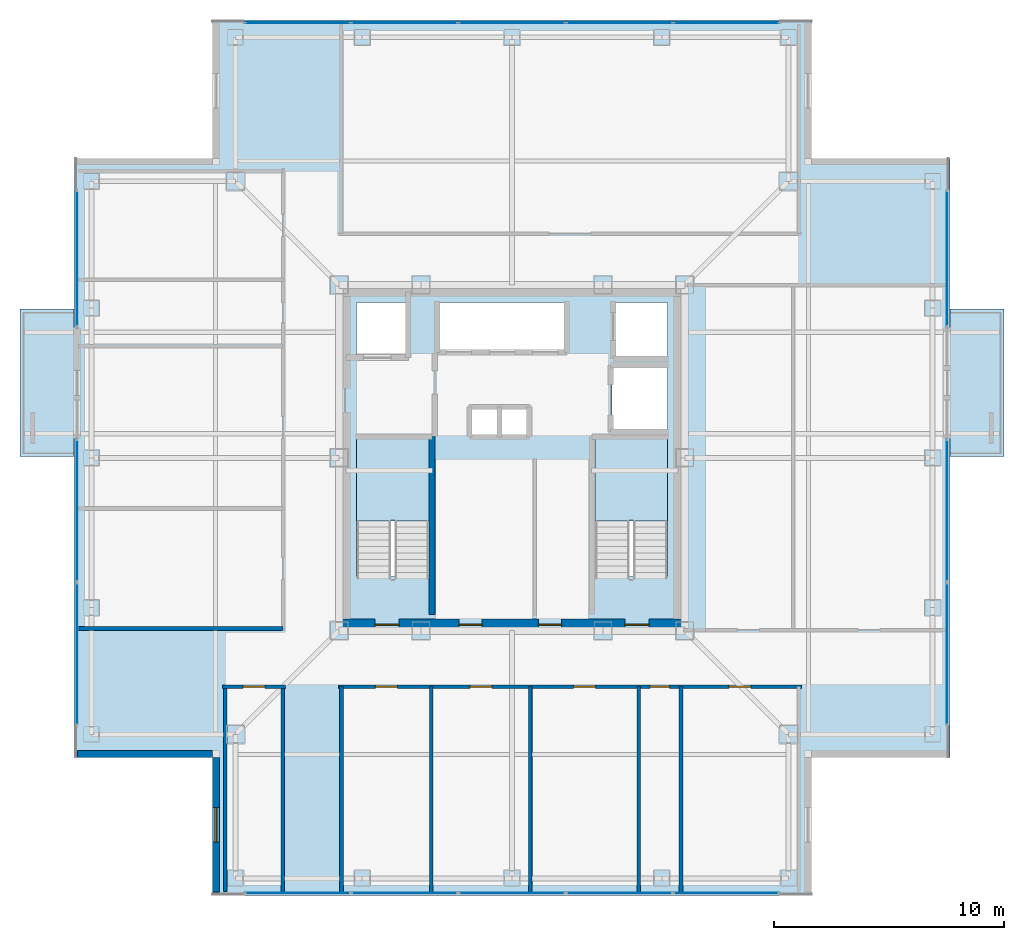
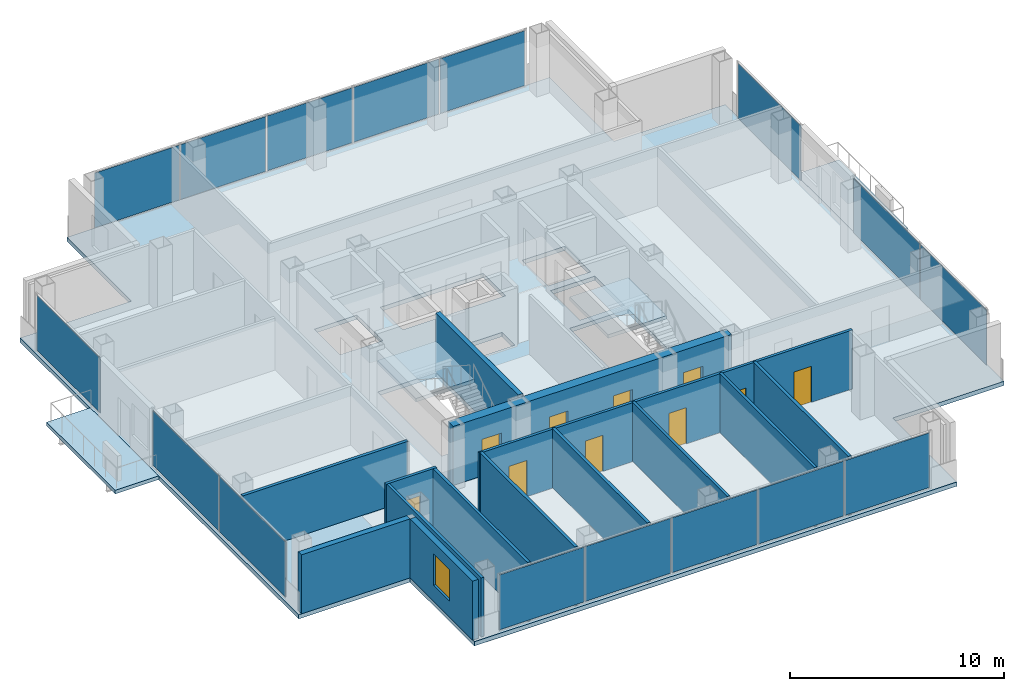
# One storey, part 8 of 13: 16 plates, 14 walls, 10 doors, 5 slabs, 1 window, 11 openings, 8 elements without a shape of their own.
"""IFC4 building model written with IfcOpenShell, lengths in metres."""

from ifc_helpers import new_model, si_unit, direction, frame, frame_2d, origin, origin_2d, place, context, subcontext, project, spatial, polyline, rectangle, outline, extrude, material, layer, layer_set, type_object, element, fill, aggregate, save


model = new_model("IFC4")

# Units and contexts
model_context = context("Model", 3, precision=1e-05, world=origin(), true_north=direction((0.0, 1.0)))
body_context = subcontext(model_context, "Body", "Model", "MODEL_VIEW")
ifc_project = project(units=[si_unit("LENGTHUNIT", "METRE"), si_unit("AREAUNIT", "SQUARE_METRE"), si_unit("VOLUMEUNIT", "CUBIC_METRE"), si_unit("PLANEANGLEUNIT", "RADIAN"), si_unit("MASSUNIT", "GRAM", prefix="KILO")], contexts=[model_context])

# Site, building, storey
site_placement = place(None, origin())
site = spatial("IfcSite", under=ifc_project, at=site_placement, CompositionType="ELEMENT")
building_placement = place(site_placement, origin())
building = spatial("IfcBuilding", under=site, at=building_placement, Name="Trevonay Congress Spire", CompositionType="ELEMENT")
storey_placement = place(building_placement, frame((0.0, 0.0, 286.39990234375)))
storey = spatial("IfcBuildingStorey", under=building, at=storey_placement, Name="L75", CompositionType="ELEMENT", Elevation=286.39990234375)

# Curtain wall, plates
ifc_material_1 = material(Name="Pale Anodised Aluminium EN AW-6063-T6", Category="aluminium")
ifc_layer_1 = layer(ifc_material_1, 0.1650390625, Name="Pale Anodised Aluminium EN AW-6063-T6")
ifc_layer_set_1 = layer_set([ifc_layer_1], Name="Pale Anodised Aluminium EN AW-6063-T6")
curtain_wall_type = type_object("IfcCurtainWallType", Name="CW-SYS05-DIPLOM-PALE-METAL", PredefinedType="NOTDEFINED", material=ifc_layer_set_1)
curtain_wall_1_placement = place(storey_placement, origin())
curtain_wall_1 = element("IfcCurtainWall", 1, at=curtain_wall_1_placement, inside=storey, type_object=curtain_wall_type, Name="L75 S unitised curtain wall", PredefinedType="NOTDEFINED")
ifc_material_2 = material(Name="Insulated Low-E Vision Glass IGU", Category="glass")
ifc_layer_2 = layer(ifc_material_2, 0.035888671875, Name="Insulated Low-E Vision Glass IGU")
ifc_layer_set_2 = layer_set([ifc_layer_2], Name="Insulated Low-E Vision Glass IGU")
plate_type = type_object("IfcPlateType", Name="CW-PANEL-IGU36-SILVER", PredefinedType="CURTAIN_PANEL", material=ifc_layer_set_2)
plate_1_placement = place(storey_placement, frame((-9.304931640625, -18.8798828125, 0.1201171875), z_axis=(0.0, 0.0, 1.0), x_axis=(1.0, 0.0, 0.0)))
plate_1 = element("IfcPlate", 2, at=plate_1_placement, type_object=plate_type, Name="CW05 panel 1.1", PredefinedType="CURTAIN_PANEL", context=body_context, shape_type="SweptSolid", body=[
    extrude(rectangle(XDim=4.570068359375, YDim=0.035888671875, at=origin_2d()), origin(), (0.0, 0.0, 1.0), 3.1201171875),
])
plate_2_placement = place(storey_placement, frame((-4.659912109375, -18.8798828125, 0.1201171875), z_axis=(0.0, 0.0, 1.0), x_axis=(1.0, 0.0, 0.0)))
plate_2 = element("IfcPlate", 3, at=plate_2_placement, type_object=plate_type, Name="CW05 panel 2.1", PredefinedType="CURTAIN_PANEL", context=body_context, shape_type="SweptSolid", body=[
    extrude(rectangle(XDim=4.60009765625, YDim=0.035888671875, at=origin_2d()), origin(), (0.0, 0.0, 1.0), 3.1201171875),
])
plate_3_placement = place(storey_placement, frame((0.0, -18.8798828125, 0.1201171875), z_axis=(0.0, 0.0, 1.0), x_axis=(1.0, 0.0, 0.0)))
plate_3 = element("IfcPlate", 4, at=plate_3_placement, type_object=plate_type, Name="CW05 panel 3.1", PredefinedType="CURTAIN_PANEL", context=body_context, shape_type="SweptSolid", body=[
    extrude(rectangle(XDim=4.60009765625, YDim=0.035888671875, at=origin_2d()), origin(), (0.0, 0.0, 1.0), 3.1201171875),
])
plate_4_placement = place(storey_placement, frame((4.659912109375, -18.8798828125, 0.1201171875), z_axis=(0.0, 0.0, 1.0), x_axis=(1.0, 0.0, 0.0)))
plate_4 = element("IfcPlate", 5, at=plate_4_placement, type_object=plate_type, Name="CW05 panel 4.1", PredefinedType="CURTAIN_PANEL", context=body_context, shape_type="SweptSolid", body=[
    extrude(rectangle(XDim=4.60009765625, YDim=0.035888671875, at=origin_2d()), origin(), (0.0, 0.0, 1.0), 3.1201171875),
])
plate_5_placement = place(storey_placement, frame((9.304931640625, -18.8798828125, 0.1201171875), z_axis=(0.0, 0.0, 1.0), x_axis=(1.0, 0.0, 0.0)))
plate_5 = element("IfcPlate", 6, at=plate_5_placement, type_object=plate_type, Name="CW05 panel 5.1", PredefinedType="CURTAIN_PANEL", context=body_context, shape_type="SweptSolid", body=[
    extrude(rectangle(XDim=4.570068359375, YDim=0.035888671875, at=origin_2d()), origin(), (0.0, 0.0, 1.0), 3.1201171875),
])
aggregate(curtain_wall_1, [plate_1, plate_2, plate_3, plate_4, plate_5])

curtain_wall_2_placement = place(storey_placement, origin())
curtain_wall_2 = element("IfcCurtainWall", 7, at=curtain_wall_2_placement, inside=storey, type_object=curtain_wall_type, Name="L75 N unitised curtain wall", PredefinedType="NOTDEFINED")
plate_6_placement = place(storey_placement, frame((-9.304931640625, 18.8798828125, 0.1201171875), z_axis=(0.0, 0.0, 1.0), x_axis=(1.0, 0.0, 0.0)))
plate_6 = element("IfcPlate", 8, at=plate_6_placement, type_object=plate_type, Name="CW05 panel 1.1", PredefinedType="CURTAIN_PANEL", context=body_context, shape_type="SweptSolid", body=[
    extrude(rectangle(XDim=4.570068359375, YDim=0.035888671875, at=origin_2d()), origin(), (0.0, 0.0, 1.0), 3.1201171875),
])
plate_7_placement = place(storey_placement, frame((-4.659912109375, 18.8798828125, 0.1201171875), z_axis=(0.0, 0.0, 1.0), x_axis=(1.0, 0.0, 0.0)))
plate_7 = element("IfcPlate", 9, at=plate_7_placement, type_object=plate_type, Name="CW05 panel 2.1", PredefinedType="CURTAIN_PANEL", context=body_context, shape_type="SweptSolid", body=[
    extrude(rectangle(XDim=4.60009765625, YDim=0.035888671875, at=origin_2d()), origin(), (0.0, 0.0, 1.0), 3.1201171875),
])
plate_8_placement = place(storey_placement, frame((0.0, 18.8798828125, 0.1201171875), z_axis=(0.0, 0.0, 1.0), x_axis=(1.0, 0.0, 0.0)))
plate_8 = element("IfcPlate", 10, at=plate_8_placement, type_object=plate_type, Name="CW05 panel 3.1", PredefinedType="CURTAIN_PANEL", context=body_context, shape_type="SweptSolid", body=[
    extrude(rectangle(XDim=4.60009765625, YDim=0.035888671875, at=origin_2d()), origin(), (0.0, 0.0, 1.0), 3.1201171875),
])
plate_9_placement = place(storey_placement, frame((4.659912109375, 18.8798828125, 0.1201171875), z_axis=(0.0, 0.0, 1.0), x_axis=(1.0, 0.0, 0.0)))
plate_9 = element("IfcPlate", 11, at=plate_9_placement, type_object=plate_type, Name="CW05 panel 4.1", PredefinedType="CURTAIN_PANEL", context=body_context, shape_type="SweptSolid", body=[
    extrude(rectangle(XDim=4.60009765625, YDim=0.035888671875, at=origin_2d()), origin(), (0.0, 0.0, 1.0), 3.1201171875),
])
plate_10_placement = place(storey_placement, frame((9.304931640625, 18.8798828125, 0.1201171875), z_axis=(0.0, 0.0, 1.0), x_axis=(1.0, 0.0, 0.0)))
plate_10 = element("IfcPlate", 12, at=plate_10_placement, type_object=plate_type, Name="CW05 panel 5.1", PredefinedType="CURTAIN_PANEL", context=body_context, shape_type="SweptSolid", body=[
    extrude(rectangle(XDim=4.570068359375, YDim=0.035888671875, at=origin_2d()), origin(), (0.0, 0.0, 1.0), 3.1201171875),
])
aggregate(curtain_wall_2, [plate_6, plate_7, plate_8, plate_9, plate_10])

curtain_wall_3_placement = place(storey_placement, origin())
curtain_wall_3 = element("IfcCurtainWall", 13, at=curtain_wall_3_placement, inside=storey, type_object=curtain_wall_type, Name="L75 WA unitised curtain wall", PredefinedType="NOTDEFINED")
plate_11_placement = place(storey_placement, frame((-18.8798828125, -8.510009765625, 0.1201171875), z_axis=(0.0, 0.0, 1.0), x_axis=(0.0, 1.0, 0.0)))
plate_11 = element("IfcPlate", 14, at=plate_11_placement, type_object=plate_type, Name="CW05 panel 1.1", PredefinedType="CURTAIN_PANEL", context=body_context, shape_type="SweptSolid", body=[
    extrude(rectangle(XDim=6.159912109375, YDim=0.035888671875, at=origin_2d()), origin(), (0.0, 0.0, 1.0), 3.1201171875),
])
plate_12_placement = place(storey_placement, frame((-18.8798828125, -2.2900390625, 0.1201171875), z_axis=(0.0, 0.0, 1.0), x_axis=(0.0, 1.0, 0.0)))
plate_12 = element("IfcPlate", 15, at=plate_12_placement, type_object=plate_type, Name="CW05 panel 2.1", PredefinedType="CURTAIN_PANEL", context=body_context, shape_type="SweptSolid", body=[
    extrude(rectangle(XDim=6.159912109375, YDim=0.035888671875, at=origin_2d()), origin(), (0.0, 0.0, 1.0), 3.1201171875),
])
aggregate(curtain_wall_3, [plate_11, plate_12])

# Curtain wall, plate
curtain_wall_4_placement = place(storey_placement, origin())
curtain_wall_4 = element("IfcCurtainWall", 16, at=curtain_wall_4_placement, inside=storey, type_object=curtain_wall_type, Name="L75 WB unitised curtain wall", PredefinedType="NOTDEFINED")
plate_13_placement = place(storey_placement, frame((-18.8798828125, 8.64990234375, 0.1201171875), z_axis=(0.0, 0.0, 1.0), x_axis=(0.0, 1.0, 0.0)))
plate_13 = element("IfcPlate", 17, at=plate_13_placement, type_object=plate_type, Name="CW05 panel 1.1", PredefinedType="CURTAIN_PANEL", context=body_context, shape_type="SweptSolid", body=[
    extrude(rectangle(XDim=5.8798828125, YDim=0.035888671875, at=origin_2d()), origin(), (0.0, 0.0, 1.0), 3.1201171875),
])
aggregate(curtain_wall_4, [plate_13])

# Curtain wall, plates
curtain_wall_5_placement = place(storey_placement, origin())
curtain_wall_5 = element("IfcCurtainWall", 18, at=curtain_wall_5_placement, inside=storey, type_object=curtain_wall_type, Name="L75 EA unitised curtain wall", PredefinedType="NOTDEFINED")
plate_14_placement = place(storey_placement, frame((18.8798828125, -8.510009765625, 0.1201171875), z_axis=(0.0, 0.0, 1.0), x_axis=(0.0, 1.0, 0.0)))
plate_14 = element("IfcPlate", 19, at=plate_14_placement, type_object=plate_type, Name="CW05 panel 1.1", PredefinedType="CURTAIN_PANEL", context=body_context, shape_type="SweptSolid", body=[
    extrude(rectangle(XDim=6.159912109375, YDim=0.035888671875, at=origin_2d()), origin(), (0.0, 0.0, 1.0), 3.1201171875),
])
plate_15_placement = place(storey_placement, frame((18.8798828125, -2.2900390625, 0.1201171875), z_axis=(0.0, 0.0, 1.0), x_axis=(0.0, 1.0, 0.0)))
plate_15 = element("IfcPlate", 20, at=plate_15_placement, type_object=plate_type, Name="CW05 panel 2.1", PredefinedType="CURTAIN_PANEL", context=body_context, shape_type="SweptSolid", body=[
    extrude(rectangle(XDim=6.159912109375, YDim=0.035888671875, at=origin_2d()), origin(), (0.0, 0.0, 1.0), 3.1201171875),
])
aggregate(curtain_wall_5, [plate_14, plate_15])

# Curtain wall, plate
curtain_wall_6_placement = place(storey_placement, origin())
curtain_wall_6 = element("IfcCurtainWall", 21, at=curtain_wall_6_placement, inside=storey, type_object=curtain_wall_type, Name="L75 EB unitised curtain wall", PredefinedType="NOTDEFINED")
plate_16_placement = place(storey_placement, frame((18.8798828125, 8.64990234375, 0.1201171875), z_axis=(0.0, 0.0, 1.0), x_axis=(0.0, 1.0, 0.0)))
plate_16 = element("IfcPlate", 22, at=plate_16_placement, type_object=plate_type, Name="CW05 panel 1.1", PredefinedType="CURTAIN_PANEL", context=body_context, shape_type="SweptSolid", body=[
    extrude(rectangle(XDim=5.8798828125, YDim=0.035888671875, at=origin_2d()), origin(), (0.0, 0.0, 1.0), 3.1201171875),
])
aggregate(curtain_wall_6, [plate_16])

# Stair, slab
ifc_material_3 = material(Name="Concrete C40/50", Category="concrete")
stair_type_1 = type_object("IfcStairType", Name="STR-ST-1", PredefinedType="HALF_TURN_STAIR", material=ifc_material_3)
stair_1_placement = place(storey_placement, origin())
stair_1 = element("IfcStair", 23, at=stair_1_placement, inside=storey, type_object=stair_type_1, Name="L75 Protected Exit Stair ST-1", PredefinedType="HALF_TURN_STAIR")
ifc_layer_3 = layer(ifc_material_3, 0.199951171875, Name="Concrete C40/50")
ifc_layer_set_3 = layer_set([ifc_layer_3], Name="Concrete C40/50")
slab_type_1 = type_object("IfcSlabType", Name="SLB-STAIR-LAND-200", PredefinedType="LANDING", material=ifc_layer_set_3)
slab_1_placement = place(storey_placement, frame((0.0, 0.0, 1.60009765625)))
slab_1 = element("IfcSlab", 24, at=slab_1_placement, type_object=slab_type_1, Name="ST-1 landing 1", PredefinedType="LANDING", context=body_context, shape_type="SweptSolid", body=[
    extrude(outline(polyline([(-3.60009765625, -2.72998046875), (-3.60009765625, 0.85009765625), (-6.75, 0.85009765625), (-6.75, -2.72998046875), (-3.60009765625, -2.72998046875)])), origin(), (0.0, 0.0, 1.0), 0.199951171875),
])
aggregate(stair_1, [slab_1])

stair_type_2 = type_object("IfcStairType", Name="STR-ST-2", PredefinedType="HALF_TURN_STAIR", material=ifc_material_3)
stair_2_placement = place(storey_placement, origin())
stair_2 = element("IfcStair", 25, at=stair_2_placement, inside=storey, type_object=stair_type_2, Name="L75 Protected Exit Stair ST-2", PredefinedType="HALF_TURN_STAIR")
slab_2_placement = place(storey_placement, frame((0.0, 0.0, 1.60009765625)))
slab_2 = element("IfcSlab", 26, at=slab_2_placement, type_object=slab_type_1, Name="ST-2 landing 1", PredefinedType="LANDING", context=body_context, shape_type="SweptSolid", body=[
    extrude(outline(polyline([(6.75, -2.72998046875), (6.75, 0.85009765625), (3.60009765625, 0.85009765625), (3.60009765625, -2.72998046875), (6.75, -2.72998046875)])), origin(), (0.0, 0.0, 1.0), 0.199951171875),
])
aggregate(stair_2, [slab_2])

# Slabs
ifc_layer_4 = layer(ifc_material_3, 0.239990234375, Name="Concrete C40/50")
ifc_layer_set_4 = layer_set([ifc_layer_4], Name="Concrete C40/50")
slab_type_2 = type_object("IfcSlabType", Name="SLB-TOW2-240", PredefinedType="FLOOR", material=ifc_layer_set_4)
slab_3_placement = place(storey_placement, frame((0.0, 0.0, -0.239990234375)))
element("IfcSlab", 27, at=slab_3_placement, inside=storey, type_object=slab_type_2, Name="L75 structural floor slab", PredefinedType="FLOOR", context=body_context, shape_type="SweptSolid", body=[
    extrude(outline(polyline([(-13.0, -19.0), (13.0, -19.0), (13.0, -13.0), (19.0, -13.0), (19.0, 13.0), (13.0, 13.0), (13.0, 19.0), (-13.0, 19.0), (-13.0, 13.0), (-19.0, 13.0), (-19.0, -13.0), (-13.0, -13.0), (-13.0, -19.0)]), holes=[polyline([(-3.60009765625, -5.14990234375), (-3.60009765625, 0.85009765625), (-6.75, 0.85009765625), (-6.75, -5.14990234375), (-3.60009765625, -5.14990234375)]), polyline([(6.75, -5.14990234375), (6.75, 0.85009765625), (3.60009765625, 0.85009765625), (3.60009765625, -5.14990234375), (6.75, -5.14990234375)]), polyline([(-3.199951171875, 4.64990234375), (2.340087890625, 4.64990234375), (2.340087890625, 6.75), (-3.199951171875, 6.75), (-3.199951171875, 4.64990234375)]), polyline([(-6.75, 4.35009765625), (-4.449951171875, 4.35009765625), (-4.449951171875, 6.75), (-6.75, 6.75), (-6.75, 4.35009765625)]), polyline([(4.449951171875, 4.35009765625), (6.75, 4.35009765625), (6.75, 6.75), (4.449951171875, 6.75), (4.449951171875, 4.35009765625)]), polyline([(4.35009765625, 1.199951171875), (6.75, 1.199951171875), (6.75, 3.949951171875), (4.35009765625, 3.949951171875), (4.35009765625, 1.199951171875)]), polyline([(-1.800048828125, 0.949951171875), (0.699951171875, 0.949951171875), (0.699951171875, 2.14990234375), (-1.800048828125, 2.14990234375), (-1.800048828125, 0.949951171875)])]), origin(), (0.0, 0.0, 1.0), 0.239990234375),
])
ifc_layer_5 = layer(ifc_material_3, 0.2099609375, Name="Concrete C40/50")
ifc_layer_set_5 = layer_set([ifc_layer_5], Name="Concrete C40/50")
slab_type_3 = type_object("IfcSlabType", Name="SLB-TREEBAL-210", PredefinedType="FLOOR", material=ifc_layer_set_5)
slab_4_placement = place(storey_placement, frame((0.0, 0.0, -0.2099609375)))
element("IfcSlab", 28, at=slab_4_placement, inside=storey, type_object=slab_type_3, Name="L75 cantilevered tree-planter balcony pod E", PredefinedType="FLOOR", context=body_context, shape_type="SweptSolid", body=[
    extrude(outline(polyline([(19.0, 0.050048828125), (21.35009765625, 0.050048828125), (21.35009765625, 6.449951171875), (19.0, 6.449951171875), (19.0, 0.050048828125)])), origin(), (0.0, 0.0, 1.0), 0.2099609375),
])
slab_5_placement = place(storey_placement, frame((0.0, 0.0, -0.2099609375)))
element("IfcSlab", 29, at=slab_5_placement, inside=storey, type_object=slab_type_3, Name="L75 cantilevered tree-planter balcony pod W", PredefinedType="FLOOR", context=body_context, shape_type="SweptSolid", body=[
    extrude(outline(polyline([(-21.35009765625, 0.050048828125), (-19.0, 0.050048828125), (-19.0, 6.449951171875), (-21.35009765625, 6.449951171875), (-21.35009765625, 0.050048828125)])), origin(), (0.0, 0.0, 1.0), 0.2099609375),
])

# Wall, openings, doors
ifc_material_4 = material(Name="Concrete C50/60", Category="concrete")
ifc_layer_6 = layer(ifc_material_4, 0.5, Name="Concrete C50/60")
ifc_layer_set_6 = layer_set([ifc_layer_6], Name="Concrete C50/60")
wall_type_1 = type_object("IfcWallType", Name="WAL-CORE-500", PredefinedType="SHEAR", material=ifc_layer_set_6)
wall_1_placement = place(storey_placement, frame((-7.5, -7.25, 0.0), z_axis=(0.0, 0.0, 1.0), x_axis=(1.0, 0.0, 0.0)))
wall_1 = element("IfcWall", 30, at=wall_1_placement, inside=storey, type_object=wall_type_1, Name="L75 South structural core shear wall", PredefinedType="SHEAR", context=body_context, shape_type="SweptSolid", body=[
    extrude(rectangle(XDim=15.0, YDim=0.5, at=frame_2d((7.5, 0.0))), origin(), (0.0, 0.0, 1.0), 3.360107421875),
])
opening_1_placement = place(wall_1_placement, frame((1.550048828125, 0.0, 0.0)))
opening_1 = element("IfcOpeningElement", 31, at=opening_1_placement, cuts=wall_1, Name="Opening D05", PredefinedType="OPENING", context=body_context, shape_type="SweptSolid", body=[
    extrude(rectangle(XDim=1.050048828125, YDim=2.080078125, at=frame_2d((0.52490234375, 1.0400390625))), frame((0.0, 0.260009765625, 0.0), z_axis=(0.0, -1.0, 0.0), x_axis=(1.0, 0.0, 0.0)), (0.0, 0.0, 1.0), 0.52001953125),
])
opening_2_placement = place(wall_1_placement, frame((12.39990234375, 0.0, 0.0)))
opening_2 = element("IfcOpeningElement", 32, at=opening_2_placement, cuts=wall_1, Name="Opening D05", PredefinedType="OPENING", context=body_context, shape_type="SweptSolid", body=[
    extrude(rectangle(XDim=1.050048828125, YDim=2.080078125, at=frame_2d((0.52490234375, 1.0400390625))), frame((0.0, 0.260009765625, 0.0), z_axis=(0.0, -1.0, 0.0), x_axis=(1.0, 0.0, 0.0)), (0.0, 0.0, 1.0), 0.52001953125),
])
opening_3_placement = place(wall_1_placement, frame((5.199951171875, 0.0, 0.0)))
opening_3 = element("IfcOpeningElement", 33, at=opening_3_placement, cuts=wall_1, Name="Opening D06", PredefinedType="OPENING", context=body_context, shape_type="SweptSolid", body=[
    extrude(rectangle(XDim=1.0, YDim=2.080078125, at=frame_2d((0.5, 1.0400390625))), frame((0.0, 0.260009765625, 0.0), z_axis=(0.0, -1.0, 0.0), x_axis=(1.0, 0.0, 0.0)), (0.0, 0.0, 1.0), 0.52001953125),
])
opening_4_placement = place(wall_1_placement, frame((8.64990234375, 0.0, 0.0)))
opening_4 = element("IfcOpeningElement", 34, at=opening_4_placement, cuts=wall_1, Name="Opening D06", PredefinedType="OPENING", context=body_context, shape_type="SweptSolid", body=[
    extrude(rectangle(XDim=1.0, YDim=2.080078125, at=frame_2d((0.5, 1.0400390625))), frame((0.0, 0.260009765625, 0.0), z_axis=(0.0, -1.0, 0.0), x_axis=(1.0, 0.0, 0.0)), (0.0, 0.0, 1.0), 0.52001953125),
])
ifc_material_5 = material(Name="Steel ASTM A572 Grade 50", Category="steel")
door_type_1 = type_object("IfcDoorType", Name="DOR-FIRE-100", OperationType="NOTDEFINED", PredefinedType="DOOR", material=ifc_material_5)
door_1_placement = place(opening_3_placement, origin())
door_1 = element("IfcDoor", 35, at=door_1_placement, inside=storey, type_object=door_type_1, Name="L75 South Core Room 1 Door", OperationType="SINGLE_SWING_RIGHT", OverallHeight=2.080078125, OverallWidth=1.0, PredefinedType="DOOR", context=body_context, shape_type="SweptSolid", body=[
    extrude(rectangle(XDim=1.0, YDim=2.080078125, at=frame_2d((0.5, 1.0400390625))), frame((0.0, 0.02490234375, 0.0), z_axis=(0.0, -1.0, 0.0), x_axis=(1.0, 0.0, 0.0)), (0.0, 0.0, 1.0), 0.050048828125),
])
fill(opening_3, door_1)
door_2_placement = place(opening_4_placement, origin())
door_2 = element("IfcDoor", 36, at=door_2_placement, inside=storey, type_object=door_type_1, Name="L75 South Core Room 2 Door", OperationType="SINGLE_SWING_LEFT", OverallHeight=2.080078125, OverallWidth=1.0, PredefinedType="DOOR", context=body_context, shape_type="SweptSolid", body=[
    extrude(rectangle(XDim=1.0, YDim=2.080078125, at=frame_2d((0.5, 1.0400390625))), frame((0.0, 0.02490234375, 0.0), z_axis=(0.0, -1.0, 0.0), x_axis=(1.0, 0.0, 0.0)), (0.0, 0.0, 1.0), 0.050048828125),
])
fill(opening_4, door_2)
door_type_2 = type_object("IfcDoorType", Name="DOR-STAIR-110", OperationType="NOTDEFINED", PredefinedType="DOOR", material=ifc_material_5)
door_3_placement = place(opening_1_placement, origin())
door_3 = element("IfcDoor", 37, at=door_3_placement, inside=storey, type_object=door_type_2, Name="L75 Protected Stair ST-1 Door", OperationType="SINGLE_SWING_LEFT", OverallHeight=2.080078125, OverallWidth=1.050048828125, PredefinedType="DOOR", context=body_context, shape_type="SweptSolid", body=[
    extrude(rectangle(XDim=1.050048828125, YDim=2.080078125, at=frame_2d((0.52490234375, 1.0400390625))), frame((0.0, 0.02490234375, 0.0), z_axis=(0.0, -1.0, 0.0), x_axis=(1.0, 0.0, 0.0)), (0.0, 0.0, 1.0), 0.050048828125),
])
fill(opening_1, door_3)
door_4_placement = place(opening_2_placement, origin())
door_4 = element("IfcDoor", 38, at=door_4_placement, inside=storey, type_object=door_type_2, Name="L75 Protected Stair ST-2 Door", OperationType="SINGLE_SWING_RIGHT", OverallHeight=2.080078125, OverallWidth=1.050048828125, PredefinedType="DOOR", context=body_context, shape_type="SweptSolid", body=[
    extrude(rectangle(XDim=1.050048828125, YDim=2.080078125, at=frame_2d((0.52490234375, 1.0400390625))), frame((0.0, 0.02490234375, 0.0), z_axis=(0.0, -1.0, 0.0), x_axis=(1.0, 0.0, 0.0)), (0.0, 0.0, 1.0), 0.050048828125),
])
fill(opening_2, door_4)

# Wall, opening, door
ifc_layer_7 = layer(ifc_material_3, 0.14990234375, Name="Concrete C40/50")
ifc_layer_set_7 = layer_set([ifc_layer_7], Name="Concrete C40/50")
wall_type_2 = type_object("IfcWallType", Name="WAL-CORR-150", PredefinedType="PARTITIONING", material=ifc_layer_set_7)
wall_2_placement = place(storey_placement, frame((-12.570068359375, -9.929931640625, 0.0), z_axis=(0.0, 0.0, 1.0), x_axis=(1.0, 0.0, 0.0)))
wall_2 = element("IfcWall", 39, at=wall_2_placement, inside=storey, type_object=wall_type_2, Name="L75 interior wall WP-L75SW-COR", PredefinedType="PARTITIONING", context=body_context, shape_type="SweptSolid", body=[
    extrude(rectangle(XDim=2.739990234375, YDim=0.14990234375, at=frame_2d((1.3701171875, 0.0))), origin(), (0.0, 0.0, 1.0), 3.360107421875),
])
opening_5_placement = place(wall_2_placement, frame((0.89501953125, 0.0, 0.0)))
opening_5 = element("IfcOpeningElement", 40, at=opening_5_placement, cuts=wall_2, Name="Opening D07", PredefinedType="OPENING", context=body_context, shape_type="SweptSolid", body=[
    extrude(rectangle(XDim=0.949951171875, YDim=2.06005859375, at=frame_2d((0.47509765625, 1.030029296875))), frame((0.0, 0.0849609375, 0.0), z_axis=(0.0, -1.0, 0.0), x_axis=(1.0, 0.0, 0.0)), (0.0, 0.0, 1.0), 0.169921875),
])
door_type_3 = type_object("IfcDoorType", Name="DOR-OFFICE-95", OperationType="NOTDEFINED", PredefinedType="DOOR", material=ifc_material_1)
door_5_placement = place(opening_5_placement, origin())
door_5 = element("IfcDoor", 41, at=door_5_placement, inside=storey, type_object=door_type_3, Name="L75 Forum Director Corner Office Door", OperationType="SINGLE_SWING_LEFT", OverallHeight=2.06005859375, OverallWidth=0.949951171875, PredefinedType="DOOR", context=body_context, shape_type="SweptSolid", body=[
    extrude(rectangle(XDim=0.949951171875, YDim=2.06005859375, at=frame_2d((0.47509765625, 1.030029296875))), frame((0.0, 0.02490234375, 0.0), z_axis=(0.0, -1.0, 0.0), x_axis=(1.0, 0.0, 0.0)), (0.0, 0.0, 1.0), 0.050048828125),
])
fill(opening_5, door_5)

# Wall, openings, doors
wall_3_placement = place(storey_placement, frame((-7.52001953125, -9.929931640625, 0.0), z_axis=(0.0, 0.0, 1.0), x_axis=(1.0, 0.0, 0.0)))
wall_3 = element("IfcWall", 42, at=wall_3_placement, inside=storey, type_object=wall_type_2, Name="L75 interior wall WP-L75SE-COR", PredefinedType="PARTITIONING", context=body_context, shape_type="SweptSolid", body=[
    extrude(rectangle(XDim=20.090087890625, YDim=0.14990234375, at=frame_2d((10.044921875, 0.0))), origin(), (0.0, 0.0, 1.0), 3.360107421875),
])
opening_6_placement = place(wall_3_placement, frame((1.594970703125, 0.0, 0.0)))
opening_6 = element("IfcOpeningElement", 43, at=opening_6_placement, cuts=wall_3, Name="Opening D07", PredefinedType="OPENING", context=body_context, shape_type="SweptSolid", body=[
    extrude(rectangle(XDim=0.949951171875, YDim=2.06005859375, at=frame_2d((0.47509765625, 1.030029296875))), frame((0.0, 0.0849609375, 0.0), z_axis=(0.0, -1.0, 0.0), x_axis=(1.0, 0.0, 0.0)), (0.0, 0.0, 1.0), 0.169921875),
])
opening_7_placement = place(wall_3_placement, frame((5.695068359375, 0.0, 0.0)))
opening_7 = element("IfcOpeningElement", 44, at=opening_7_placement, cuts=wall_3, Name="Opening D07", PredefinedType="OPENING", context=body_context, shape_type="SweptSolid", body=[
    extrude(rectangle(XDim=0.949951171875, YDim=2.06005859375, at=frame_2d((0.47509765625, 1.030029296875))), frame((0.0, 0.0849609375, 0.0), z_axis=(0.0, -1.0, 0.0), x_axis=(1.0, 0.0, 0.0)), (0.0, 0.0, 1.0), 0.169921875),
])
opening_8_placement = place(wall_3_placement, frame((10.195068359375, 0.0, 0.0)))
opening_8 = element("IfcOpeningElement", 45, at=opening_8_placement, cuts=wall_3, Name="Opening D07", PredefinedType="OPENING", context=body_context, shape_type="SweptSolid", body=[
    extrude(rectangle(XDim=0.949951171875, YDim=2.06005859375, at=frame_2d((0.47509765625, 1.030029296875))), frame((0.0, 0.0849609375, 0.0), z_axis=(0.0, -1.0, 0.0), x_axis=(1.0, 0.0, 0.0)), (0.0, 0.0, 1.0), 0.169921875),
])
opening_9_placement = place(wall_3_placement, frame((13.510009765625, 0.0, 0.0)))
opening_9 = element("IfcOpeningElement", 46, at=opening_9_placement, cuts=wall_3, Name="Opening D10", PredefinedType="OPENING", context=body_context, shape_type="SweptSolid", body=[
    extrude(rectangle(XDim=0.85009765625, YDim=2.050048828125, at=frame_2d((0.425048828125, 1.02490234375))), frame((0.0, 0.0849609375, 0.0), z_axis=(0.0, -1.0, 0.0), x_axis=(1.0, 0.0, 0.0)), (0.0, 0.0, 1.0), 0.169921875),
])
opening_10_placement = place(wall_3_placement, frame((16.93505859375, 0.0, 0.0)))
opening_10 = element("IfcOpeningElement", 47, at=opening_10_placement, cuts=wall_3, Name="Opening D07", PredefinedType="OPENING", context=body_context, shape_type="SweptSolid", body=[
    extrude(rectangle(XDim=0.949951171875, YDim=2.06005859375, at=frame_2d((0.47509765625, 1.030029296875))), frame((0.0, 0.0849609375, 0.0), z_axis=(0.0, -1.0, 0.0), x_axis=(1.0, 0.0, 0.0)), (0.0, 0.0, 1.0), 0.169921875),
])
door_6_placement = place(opening_6_placement, origin())
door_6 = element("IfcDoor", 48, at=door_6_placement, inside=storey, type_object=door_type_3, Name="L75 Ocean Engineering Office 1 Door", OperationType="SINGLE_SWING_RIGHT", OverallHeight=2.06005859375, OverallWidth=0.949951171875, PredefinedType="DOOR", context=body_context, shape_type="SweptSolid", body=[
    extrude(rectangle(XDim=0.949951171875, YDim=2.06005859375, at=frame_2d((0.47509765625, 1.030029296875))), frame((0.0, 0.02490234375, 0.0), z_axis=(0.0, -1.0, 0.0), x_axis=(1.0, 0.0, 0.0)), (0.0, 0.0, 1.0), 0.050048828125),
])
fill(opening_6, door_6)
door_7_placement = place(opening_7_placement, origin())
door_7 = element("IfcDoor", 49, at=door_7_placement, inside=storey, type_object=door_type_3, Name="L75 Naval Architecture Office 2 Door", OperationType="SINGLE_SWING_LEFT", OverallHeight=2.06005859375, OverallWidth=0.949951171875, PredefinedType="DOOR", context=body_context, shape_type="SweptSolid", body=[
    extrude(rectangle(XDim=0.949951171875, YDim=2.06005859375, at=frame_2d((0.47509765625, 1.030029296875))), frame((0.0, 0.02490234375, 0.0), z_axis=(0.0, -1.0, 0.0), x_axis=(1.0, 0.0, 0.0)), (0.0, 0.0, 1.0), 0.050048828125),
])
fill(opening_7, door_7)
door_8_placement = place(opening_8_placement, origin())
door_8 = element("IfcDoor", 50, at=door_8_placement, inside=storey, type_object=door_type_3, Name="L75 Port Automation Office 3 Door", OperationType="SINGLE_SWING_RIGHT", OverallHeight=2.06005859375, OverallWidth=0.949951171875, PredefinedType="DOOR", context=body_context, shape_type="SweptSolid", body=[
    extrude(rectangle(XDim=0.949951171875, YDim=2.06005859375, at=frame_2d((0.47509765625, 1.030029296875))), frame((0.0, 0.02490234375, 0.0), z_axis=(0.0, -1.0, 0.0), x_axis=(1.0, 0.0, 0.0)), (0.0, 0.0, 1.0), 0.050048828125),
])
fill(opening_8, door_8)
door_9_placement = place(opening_10_placement, origin())
door_9 = element("IfcDoor", 51, at=door_9_placement, inside=storey, type_object=door_type_3, Name="L75 Floor Supplies and Copy Room Door", OperationType="SINGLE_SWING_RIGHT", OverallHeight=2.06005859375, OverallWidth=0.949951171875, PredefinedType="DOOR", context=body_context, shape_type="SweptSolid", body=[
    extrude(rectangle(XDim=0.949951171875, YDim=2.06005859375, at=frame_2d((0.47509765625, 1.030029296875))), frame((0.0, 0.02490234375, 0.0), z_axis=(0.0, -1.0, 0.0), x_axis=(1.0, 0.0, 0.0)), (0.0, 0.0, 1.0), 0.050048828125),
])
fill(opening_10, door_9)
door_type_4 = type_object("IfcDoorType", Name="DOR-WC-85", OperationType="NOTDEFINED", PredefinedType="DOOR", material=ifc_material_1)
door_10_placement = place(opening_9_placement, origin())
door_10 = element("IfcDoor", 52, at=door_10_placement, inside=storey, type_object=door_type_4, Name="L75 Accessible WC Door", OperationType="SINGLE_SWING_LEFT", OverallHeight=2.050048828125, OverallWidth=0.85009765625, PredefinedType="DOOR", context=body_context, shape_type="SweptSolid", body=[
    extrude(rectangle(XDim=0.85009765625, YDim=2.050048828125, at=frame_2d((0.425048828125, 1.02490234375))), frame((0.0, 0.02490234375, 0.0), z_axis=(0.0, -1.0, 0.0), x_axis=(1.0, 0.0, 0.0)), (0.0, 0.0, 1.0), 0.050048828125),
])
fill(opening_9, door_10)

# Wall, opening, window
ifc_material_6 = material(Name="Precast concrete C40/50", Category="concrete")
ifc_layer_8 = layer(ifc_material_6, 0.300048828125, Name="Precast concrete C40/50")
ifc_layer_set_8 = layer_set([ifc_layer_8], Name="Precast concrete C40/50")
wall_type_3 = type_object("IfcWallType", Name="WAL-EXT-PRECAST-300", PredefinedType="SOLIDWALL", material=ifc_layer_set_8)
wall_4_placement = place(storey_placement, frame((-12.85009765625, -18.85009765625, 0.0), z_axis=(0.0, 0.0, 1.0), x_axis=(0.0, 1.0, 0.0)))
wall_4 = element("IfcWall", 53, at=wall_4_placement, inside=storey, type_object=wall_type_3, Name="L75 SW re-entrant notch exterior wall 1", PredefinedType="SOLIDWALL", context=body_context, shape_type="SweptSolid", body=[
    extrude(rectangle(XDim=5.85009765625, YDim=0.300048828125, at=frame_2d((2.925048828125, 0.0))), origin(), (0.0, 0.0, 1.0), 3.360107421875),
])
opening_11_placement = place(wall_4_placement, frame((2.175048828125, 0.0, 0.89990234375)))
opening_11 = element("IfcOpeningElement", 54, at=opening_11_placement, cuts=wall_4, Name="Opening WN03", PredefinedType="OPENING", context=body_context, shape_type="SweptSolid", body=[
    extrude(rectangle(XDim=1.5, YDim=1.800048828125, at=frame_2d((0.75, 0.89990234375))), frame((0.0, 0.16015625, 0.0), z_axis=(0.0, -1.0, 0.0), x_axis=(1.0, 0.0, 0.0)), (0.0, 0.0, 1.0), 0.320068359375),
])
window_type = type_object("IfcWindowType", Name="WIN-NOTCH-150X180", PartitioningType="SINGLE_PANEL", PredefinedType="WINDOW", material=ifc_material_2)
window_placement = place(opening_11_placement, origin())
window = element("IfcWindow", 55, at=window_placement, inside=storey, type_object=window_type, Name="L75 SW corner notch window", OverallHeight=1.800048828125, OverallWidth=1.5, PartitioningType="SINGLE_PANEL", PredefinedType="WINDOW", context=body_context, shape_type="SweptSolid", body=[
    extrude(rectangle(XDim=1.5, YDim=1.800048828125, at=frame_2d((0.75, 0.89990234375))), frame((0.0, 0.030029296875, 0.0), z_axis=(0.0, -1.0, 0.0), x_axis=(1.0, 0.0, 0.0)), (0.0, 0.0, 1.0), 0.06005859375),
])
fill(opening_11, window)

# Walls
wall_5_placement = place(storey_placement, frame((-18.85009765625, -12.85009765625, 0.0), z_axis=(0.0, 0.0, 1.0), x_axis=(1.0, 0.0, 0.0)))
element("IfcWall", 56, at=wall_5_placement, inside=storey, type_object=wall_type_3, Name="L75 SW re-entrant notch exterior wall 2", PredefinedType="SOLIDWALL", context=body_context, shape_type="SweptSolid", body=[
    extrude(rectangle(XDim=5.85009765625, YDim=0.300048828125, at=frame_2d((2.925048828125, 0.0))), origin(), (0.0, 0.0, 1.0), 3.360107421875),
])
ifc_layer_9 = layer(ifc_material_3, 0.14990234375, Name="Concrete C40/50")
ifc_layer_set_9 = layer_set([ifc_layer_9], Name="Concrete C40/50")
wall_type_4 = type_object("IfcWallType", Name="WAL-PART-150", PredefinedType="PARTITIONING", material=ifc_layer_set_9)
for number, where, z_axis, x_axis, name in (
    (57, (-12.449951171875, -18.820068359375, 0.0), (0.0, 0.0, 1.0), (0.0, 1.0, 0.0), "L75 interior wall WP-L75SW-DIV1"),
    (58, (-9.949951171875, -18.820068359375, 0.0), (0.0, 0.0, 1.0), (0.0, 1.0, 0.0), "L75 interior wall WP-L75SW-DIV2"),
    (59, (0.800048828125, -18.820068359375, 0.0), (0.0, 0.0, 1.0), (0.0, 1.0, 0.0), "L75 interior wall WP-L75SE-DIV3"),
    (60, (5.5, -18.820068359375, 0.0), (0.0, 0.0, 1.0), (0.0, 1.0, 0.0), "L75 interior wall WP-L75SE-DIV4"),
):
    element("IfcWall", number, at=place(storey_placement, frame(where, z_axis=z_axis, x_axis=x_axis)), inside=storey, type_object=wall_type_4, Name=name, PredefinedType="PARTITIONING", context=body_context, shape_type="SweptSolid", body=[
        extrude(rectangle(XDim=8.89013671875, YDim=0.14990234375, at=frame_2d((4.445068359375, 0.0))), origin(), (0.0, 0.0, 1.0), 3.360107421875),
    ])
ifc_layer_10 = layer(ifc_material_3, 0.25, Name="Concrete C40/50")
ifc_layer_set_10 = layer_set([ifc_layer_10], Name="Concrete C40/50")
wall_type_5 = type_object("IfcWallType", Name="WAL-SHAFT-LB-250", PredefinedType="SHEAR", material=ifc_layer_set_10)
wall_6_placement = place(storey_placement, frame((-3.469970703125, -6.800048828125, 0.0), z_axis=(0.0, 0.0, 1.0), x_axis=(0.0, 1.0, 0.0)))
element("IfcWall", 61, at=wall_6_placement, inside=storey, type_object=wall_type_5, Name="L75 interior shaft wall WSH-L75-ST1-E", PredefinedType="SHEAR", context=body_context, shape_type="SweptSolid", body=[
    extrude(rectangle(XDim=7.719970703125, YDim=0.25, at=frame_2d((3.85986328125, 0.0))), origin(), (0.0, 0.0, 1.0), 3.360107421875),
])
ifc_layer_11 = layer(ifc_material_3, 0.1650390625, Name="Concrete C40/50")
ifc_layer_set_11 = layer_set([ifc_layer_11], Name="Concrete C40/50")
wall_type_6 = type_object("IfcWallType", Name="WAL-WET-165", PredefinedType="PLUMBINGWALL", material=ifc_layer_set_11)
for number, where, z_axis, x_axis, name in (
    (62, (7.330078125, -18.820068359375, 0.0), (0.0, 0.0, 1.0), (0.0, 1.0, 0.0), "L75 interior wall WP-L75SE-WCS4"),
    (63, (-7.39990234375, -18.820068359375, 0.0), (0.0, 0.0, 1.0), (0.0, 1.0, 0.0), "L75 interior wall WP-L75SE-DIV1"),
    (64, (-3.5, -18.820068359375, 0.0), (0.0, 0.0, 1.0), (0.0, 1.0, 0.0), "L75 interior wall WP-L75SE-DIV2"),
    (65, (-18.820068359375, -7.39990234375, 0.0), (0.0, 0.0, 1.0), (1.0, 0.0, 0.0), "L75 interior wall WP-L75NW-DIV1"),
):
    element("IfcWall", number, at=place(storey_placement, frame(where, z_axis=z_axis, x_axis=x_axis)), inside=storey, type_object=wall_type_6, Name=name, PredefinedType="PLUMBINGWALL", context=body_context, shape_type="SweptSolid", body=[
        extrude(rectangle(XDim=8.89013671875, YDim=0.1650390625, at=frame_2d((4.445068359375, 0.0))), origin(), (0.0, 0.0, 1.0), 3.360107421875),
    ])

save(model, "model.ifc")
